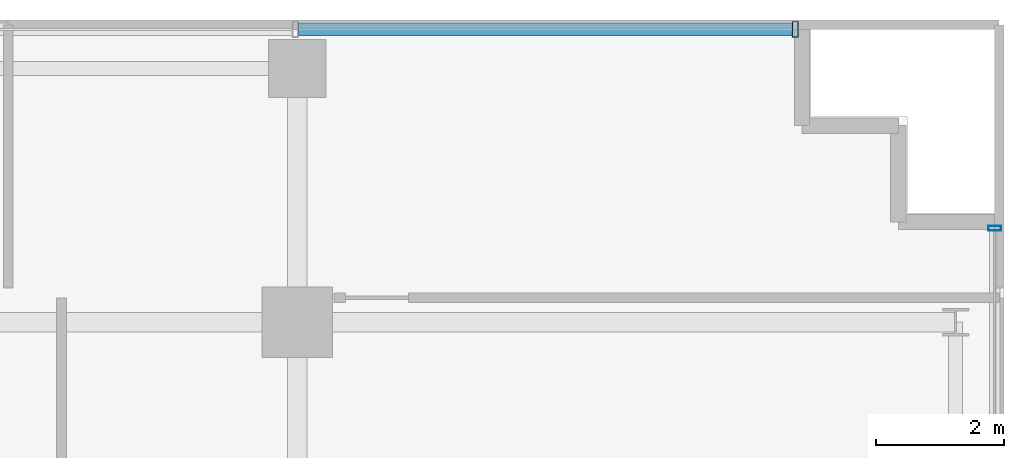
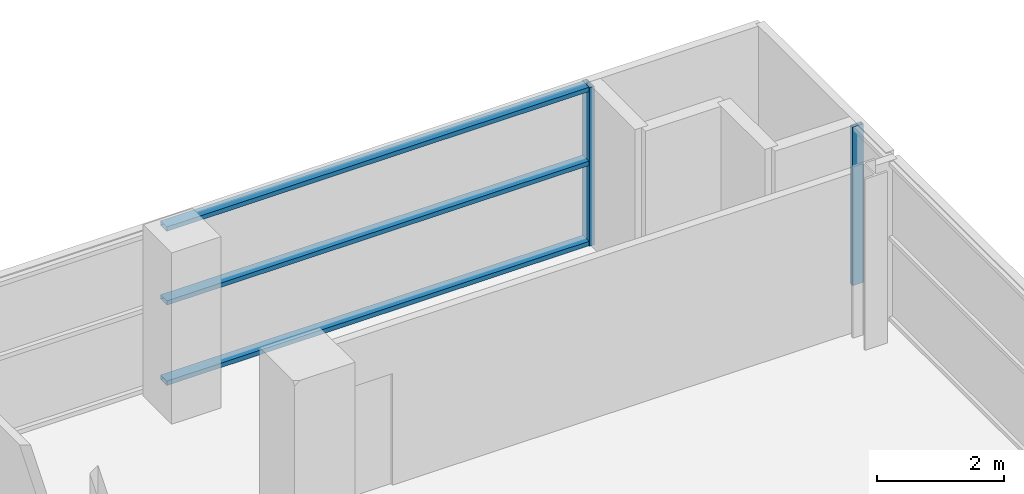
# One storey, part 22 of 31: 5 members, 2 elements without a shape of their own.
"""IFC4 building model written with IfcOpenShell, lengths in metres."""

from ifc_helpers import new_model, si_unit, direction, frame, origin, origin_2d, place, context, subcontext, project, spatial, hollow_rectangle, extrude, source, transform, mapped, material, layer, layer_set, material_profile, profile_set, type_object, element, aggregate, save


model = new_model("IFC4")

# Units and contexts
model_context = context("Model", 3, precision=1e-05, world=origin(), true_north=direction((0.0, 1.0)))
body_context = subcontext(model_context, "Body", "Model", "MODEL_VIEW")
ifc_project = project(units=[si_unit("LENGTHUNIT", "METRE"), si_unit("AREAUNIT", "SQUARE_METRE"), si_unit("VOLUMEUNIT", "CUBIC_METRE"), si_unit("PLANEANGLEUNIT", "RADIAN"), si_unit("MASSUNIT", "GRAM", prefix="KILO")], contexts=[model_context])

# Site, building, storey
site_placement = place(None, origin())
site = spatial("IfcSite", under=ifc_project, at=site_placement, CompositionType="ELEMENT")
building_placement = place(site_placement, origin())
building = spatial("IfcBuilding", under=site, at=building_placement, Name="Zarnakvel Exchange Tower", CompositionType="ELEMENT")
storey_placement = place(building_placement, frame((0.0, 0.0, 60.39990234375)))
storey = spatial("IfcBuildingStorey", under=building, at=storey_placement, Name="L16", CompositionType="ELEMENT", Elevation=60.39990234375)

# Curtain wall, members
ifc_material = material(Name="Architectural Bronze Anodised Aluminium", Category="aluminium")
ifc_layer_1 = layer(ifc_material, 0.239990234375)
ifc_layer_set_1 = layer_set([ifc_layer_1], Name="Architectural Bronze Anodised Aluminium")
curtain_wall_type_1 = type_object("IfcCurtainWallType", Name="CW-02", PredefinedType="NOTDEFINED", material=ifc_layer_set_1)
curtain_wall_1_placement = place(storey_placement, origin())
curtain_wall_1 = element("IfcCurtainWall", 1, at=curtain_wall_1_placement, inside=storey, type_object=curtain_wall_type_1, Name="L16 Curtain Wall CW-L16-N1 (CW-02)", PredefinedType="NOTDEFINED")
ifc_material_profile_1 = material_profile(ifc_material, hollow_rectangle(XDim=0.239990234375, YDim=0.090087890625, WallThickness=0.006103515625, at=origin_2d()))
ifc_profile_set_1 = profile_set([ifc_material_profile_1], Name="Architectural Bronze Anodised Aluminium")
member_type_1 = type_object("IfcMemberType", Name="CWM-02", PredefinedType="MULLION", material=ifc_profile_set_1)
shared_shape_1 = source(origin(), body_context, "Body", "SweptSolid", [
    extrude(hollow_rectangle(XDim=0.239990234375, YDim=0.090087890625, WallThickness=0.006103515625, at=origin_2d()), origin(), (0.0, 0.0, 1.0), 3.05517578125),
])
member_1_placement = place(storey_placement, frame((29.35498046875, 18.06005859375, 0.0), z_axis=(0.0, 0.0, 1.0), x_axis=(0.0, 1.0, 0.0)))
member_1 = element("IfcMember", 2, at=member_1_placement, type_object=member_type_1, Name="CW-02 mullion 8", PredefinedType="MULLION", context=body_context, shape_type="MappedRepresentation", body=[
    mapped(shared_shape_1, transform((0.0, 0.0, 0.0), x_axis=(1.0, 0.0, 0.0), y_axis=(0.0, 1.0, 0.0), z_axis=(0.0, 0.0, 1.0), scale=1.0)),
])
ifc_material_profile_2 = material_profile(ifc_material, hollow_rectangle(XDim=0.199951171875, YDim=0.0849609375, WallThickness=0.0048828125, at=origin_2d()))
ifc_profile_set_2 = profile_set([ifc_material_profile_2], Name="Architectural Bronze Anodised Aluminium")
member_type_2 = type_object("IfcMemberType", Name="CWT-02", PredefinedType="USERDEFINED", material=ifc_profile_set_2)
shared_shape_2 = source(origin(), body_context, "Body", "SweptSolid", [
    extrude(hollow_rectangle(XDim=0.199951171875, YDim=0.0849609375, WallThickness=0.0048828125, at=origin_2d()), origin(), (0.0, 0.0, 1.0), 7.693603515625),
])
member_2_placement = place(storey_placement, frame((21.616455078125, 18.06005859375, 0.04248046875), z_axis=(1.0, 0.0, 0.0), x_axis=(0.0, 1.0, 0.0)))
member_2 = element("IfcMember", 3, at=member_2_placement, type_object=member_type_2, Name="CW-02 transom 7.1", ObjectType="TRANSOM", PredefinedType="USERDEFINED", context=body_context, shape_type="MappedRepresentation", body=[
    mapped(shared_shape_2, transform((0.0, 0.0, 0.0), x_axis=(1.0, 0.0, 0.0), y_axis=(0.0, 1.0, 0.0), z_axis=(0.0, 0.0, 1.0), scale=1.0)),
])
member_3_placement = place(storey_placement, frame((21.616455078125, 18.06005859375, 1.588623046875), z_axis=(1.0, 0.0, 0.0), x_axis=(0.0, 1.0, 0.0)))
member_3 = element("IfcMember", 4, at=member_3_placement, type_object=member_type_2, Name="CW-02 transom 7.2", ObjectType="TRANSOM", PredefinedType="USERDEFINED", context=body_context, shape_type="MappedRepresentation", body=[
    mapped(shared_shape_2, transform((0.0, 0.0, 0.0), x_axis=(1.0, 0.0, 0.0), y_axis=(0.0, 1.0, 0.0), z_axis=(0.0, 0.0, 1.0), scale=1.0)),
])
member_4_placement = place(storey_placement, frame((21.616455078125, 18.06005859375, 3.0126953125), z_axis=(1.0, 0.0, 0.0), x_axis=(0.0, 1.0, 0.0)))
member_4 = element("IfcMember", 5, at=member_4_placement, type_object=member_type_2, Name="CW-02 transom 7.3", ObjectType="TRANSOM", PredefinedType="USERDEFINED", context=body_context, shape_type="MappedRepresentation", body=[
    mapped(shared_shape_2, transform((0.0, 0.0, 0.0), x_axis=(1.0, 0.0, 0.0), y_axis=(0.0, 1.0, 0.0), z_axis=(0.0, 0.0, 1.0), scale=1.0)),
])
aggregate(curtain_wall_1, [member_1, member_2, member_3, member_4])

# Curtain wall, member
ifc_layer_2 = layer(ifc_material, 0.199951171875)
ifc_layer_set_2 = layer_set([ifc_layer_2], Name="Architectural Bronze Anodised Aluminium")
curtain_wall_type_2 = type_object("IfcCurtainWallType", Name="CW-04", PredefinedType="NOTDEFINED", material=ifc_layer_set_2)
curtain_wall_2_placement = place(storey_placement, origin())
curtain_wall_2 = element("IfcCurtainWall", 6, at=curtain_wall_2_placement, inside=storey, type_object=curtain_wall_type_2, Name="L16 Curtain Wall CW-L16-E1 (CW-04)", PredefinedType="NOTDEFINED")
ifc_material_profile_3 = material_profile(ifc_material, hollow_rectangle(XDim=0.199951171875, YDim=0.074951171875, WallThickness=0.0048828125, at=origin_2d()))
ifc_profile_set_3 = profile_set([ifc_material_profile_3], Name="Architectural Bronze Anodised Aluminium")
member_type_3 = type_object("IfcMemberType", Name="CWM-04", PredefinedType="MULLION", material=ifc_profile_set_3)
shared_shape_3 = source(origin(), body_context, "Body", "SweptSolid", [
    extrude(hollow_rectangle(XDim=0.199951171875, YDim=0.074951171875, WallThickness=0.0048828125, at=origin_2d()), origin(), (0.0, 0.0, 1.0), 3.05517578125),
])
member_5_placement = place(storey_placement, frame((32.4599609375, 14.96240234375, 0.0), z_axis=(0.0, 0.0, 1.0), x_axis=(-1.0, 0.0, 0.0)))
member_5 = element("IfcMember", 7, at=member_5_placement, type_object=member_type_3, Name="CW-04 mullion 5", PredefinedType="MULLION", context=body_context, shape_type="MappedRepresentation", body=[
    mapped(shared_shape_3, transform((0.0, 0.0, 0.0), x_axis=(1.0, 0.0, 0.0), y_axis=(0.0, 1.0, 0.0), z_axis=(0.0, 0.0, 1.0), scale=1.0)),
])
aggregate(curtain_wall_2, [member_5])

save(model, "model.ifc")
